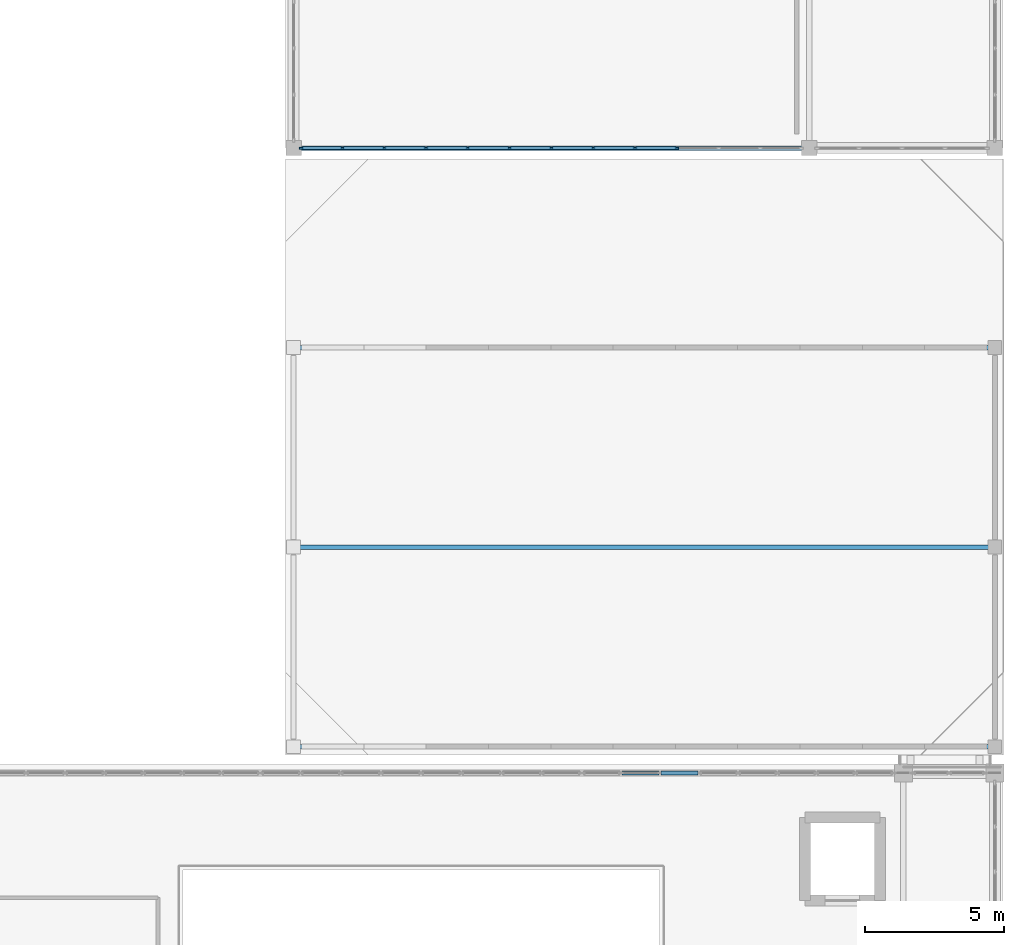
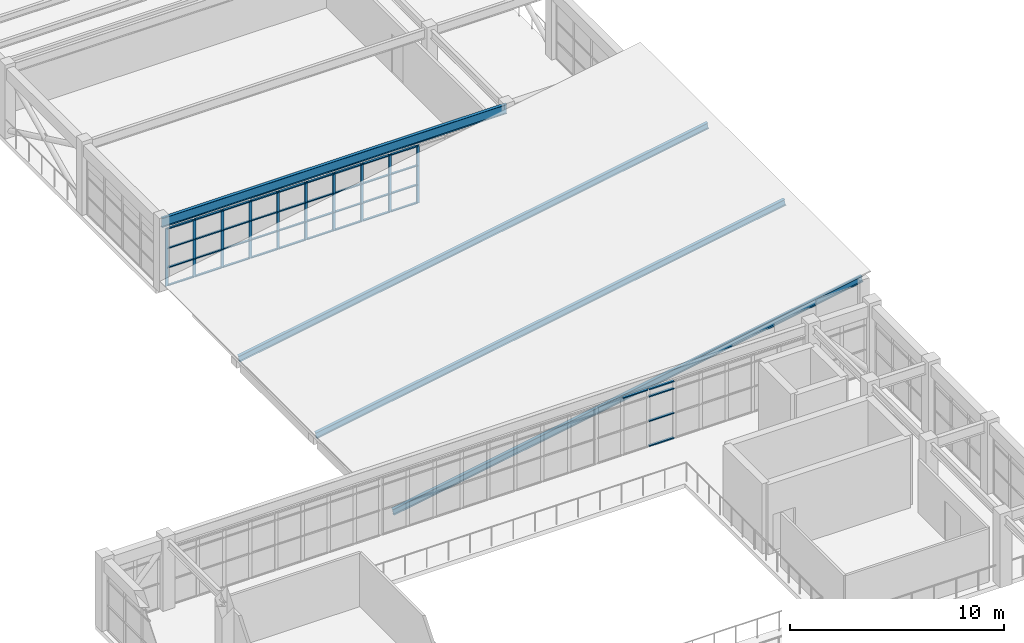
# One storey, part 26 of 66: 54 members, 1 beam, 2 elements without a shape of their own.
"""IFC4 building model written with IfcOpenShell, lengths in metres."""

from ifc_helpers import new_model, si_unit, direction, frame, origin, origin_2d, place, context, subcontext, project, spatial, rectangle, i_section, extrude, material, layer, layer_set, material_profile, profile_set, type_object, element, aggregate, save


model = new_model("IFC4")

# Units and contexts
model_context = context("Model", 3, precision=1e-05, world=origin(), true_north=direction((0.0, 1.0)))
body_context = subcontext(model_context, "Body", "Model", "MODEL_VIEW")
ifc_project = project(units=[si_unit("LENGTHUNIT", "METRE"), si_unit("AREAUNIT", "SQUARE_METRE"), si_unit("VOLUMEUNIT", "CUBIC_METRE"), si_unit("PLANEANGLEUNIT", "RADIAN"), si_unit("MASSUNIT", "GRAM", prefix="KILO")], contexts=[model_context])

# Site, building, storey
site_placement = place(None, origin())
site = spatial("IfcSite", under=ifc_project, at=site_placement, CompositionType="ELEMENT")
building_placement = place(site_placement, origin())
building = spatial("IfcBuilding", under=site, at=building_placement, Name="Candilejo Ridge Gondola Terminal", CompositionType="ELEMENT")
storey_placement = place(building_placement, frame((0.0, 0.0, 14.39990234375)))
storey = spatial("IfcBuildingStorey", under=building, at=storey_placement, Name="L03", CompositionType="ELEMENT", Elevation=14.39990234375)

# Curtain wall, members
ifc_material_1 = material(Name="Anodised aluminium AA 6063-T6", Category="aluminium")
ifc_layer_1 = layer(ifc_material_1, 0.169921875)
ifc_layer_set_1 = layer_set([ifc_layer_1], Name="ARC-CW-TOWER-3000-1810X329")
curtain_wall_type_1 = type_object("IfcCurtainWallType", Name="ARC-CW-TOWER-3000-1810X329", PredefinedType="NOTDEFINED", material=ifc_layer_set_1)
curtain_wall_1_placement = place(storey_placement, origin())
curtain_wall_1 = element("IfcCurtainWall", 1, at=curtain_wall_1_placement, inside=storey, type_object=curtain_wall_type_1, Name="Curtain wall V5 L03-208", PredefinedType="NOTDEFINED")
ifc_material_2 = material(Name="Anodised aluminium AA 6063-T6", Category="aluminium")
ifc_material_profile_1 = material_profile(ifc_material_2, rectangle(XDim=0.06494140625, YDim=0.14990234375, at=origin_2d()))
ifc_profile_set_1 = profile_set([ifc_material_profile_1], Name="Anodised aluminium AA 6063-T6")
member_type_1 = type_object("IfcMemberType", Name="ARC-CW-MULLION-150", PredefinedType="MULLION", material=ifc_profile_set_1)
member_1_placement = place(storey_placement, frame((150.282470703125, 70.25, 0.0), z_axis=(0.0, 0.0, 1.0), x_axis=(0.0, 1.0, 0.0)))
member_1 = element("IfcMember", 2, at=member_1_placement, type_object=member_type_1, Name="CW-181X32 mullion 1", PredefinedType="MULLION", context=body_context, shape_type="SweptSolid", body=[
    extrude(rectangle(XDim=0.06494140625, YDim=0.14990234375, at=origin_2d()), origin(), (0.0, 0.0, 1.0), 3.2900390625),
])
member_2_placement = place(storey_placement, frame((151.75830078125, 70.25, 0.0), z_axis=(0.0, 0.0, 1.0), x_axis=(0.0, 1.0, 0.0)))
member_2 = element("IfcMember", 3, at=member_2_placement, type_object=member_type_1, Name="CW-181X32 mullion 2", PredefinedType="MULLION", context=body_context, shape_type="SweptSolid", body=[
    extrude(rectangle(XDim=0.06494140625, YDim=0.14990234375, at=origin_2d()), origin(), (0.0, 0.0, 1.0), 3.2900390625),
])
member_3_placement = place(storey_placement, frame((153.2666015625, 70.25, 0.0), z_axis=(0.0, 0.0, 1.0), x_axis=(0.0, 1.0, 0.0)))
member_3 = element("IfcMember", 4, at=member_3_placement, type_object=member_type_1, Name="CW-181X32 mullion 3", PredefinedType="MULLION", context=body_context, shape_type="SweptSolid", body=[
    extrude(rectangle(XDim=0.06494140625, YDim=0.14990234375, at=origin_2d()), origin(), (0.0, 0.0, 1.0), 3.2900390625),
])
member_4_placement = place(storey_placement, frame((154.77490234375, 70.25, 0.0), z_axis=(0.0, 0.0, 1.0), x_axis=(0.0, 1.0, 0.0)))
member_4 = element("IfcMember", 5, at=member_4_placement, type_object=member_type_1, Name="CW-181X32 mullion 4", PredefinedType="MULLION", context=body_context, shape_type="SweptSolid", body=[
    extrude(rectangle(XDim=0.06494140625, YDim=0.14990234375, at=origin_2d()), origin(), (0.0, 0.0, 1.0), 3.2900390625),
])
member_5_placement = place(storey_placement, frame((156.283447265625, 70.25, 0.0), z_axis=(0.0, 0.0, 1.0), x_axis=(0.0, 1.0, 0.0)))
member_5 = element("IfcMember", 6, at=member_5_placement, type_object=member_type_1, Name="CW-181X32 mullion 5", PredefinedType="MULLION", context=body_context, shape_type="SweptSolid", body=[
    extrude(rectangle(XDim=0.06494140625, YDim=0.14990234375, at=origin_2d()), origin(), (0.0, 0.0, 1.0), 3.2900390625),
])
member_6_placement = place(storey_placement, frame((157.791748046875, 70.25, 0.0), z_axis=(0.0, 0.0, 1.0), x_axis=(0.0, 1.0, 0.0)))
member_6 = element("IfcMember", 7, at=member_6_placement, type_object=member_type_1, Name="CW-181X32 mullion 6", PredefinedType="MULLION", context=body_context, shape_type="SweptSolid", body=[
    extrude(rectangle(XDim=0.06494140625, YDim=0.14990234375, at=origin_2d()), origin(), (0.0, 0.0, 1.0), 3.2900390625),
])
member_7_placement = place(storey_placement, frame((159.300048828125, 70.25, 0.0), z_axis=(0.0, 0.0, 1.0), x_axis=(0.0, 1.0, 0.0)))
member_7 = element("IfcMember", 8, at=member_7_placement, type_object=member_type_1, Name="CW-181X32 mullion 7", PredefinedType="MULLION", context=body_context, shape_type="SweptSolid", body=[
    extrude(rectangle(XDim=0.06494140625, YDim=0.14990234375, at=origin_2d()), origin(), (0.0, 0.0, 1.0), 3.2900390625),
])
member_8_placement = place(storey_placement, frame((160.808349609375, 70.25, 0.0), z_axis=(0.0, 0.0, 1.0), x_axis=(0.0, 1.0, 0.0)))
member_8 = element("IfcMember", 9, at=member_8_placement, type_object=member_type_1, Name="CW-181X32 mullion 8", PredefinedType="MULLION", context=body_context, shape_type="SweptSolid", body=[
    extrude(rectangle(XDim=0.06494140625, YDim=0.14990234375, at=origin_2d()), origin(), (0.0, 0.0, 1.0), 3.2900390625),
])
member_9_placement = place(storey_placement, frame((162.316650390625, 70.25, 0.0), z_axis=(0.0, 0.0, 1.0), x_axis=(0.0, 1.0, 0.0)))
member_9 = element("IfcMember", 10, at=member_9_placement, type_object=member_type_1, Name="CW-181X32 mullion 9", PredefinedType="MULLION", context=body_context, shape_type="SweptSolid", body=[
    extrude(rectangle(XDim=0.06494140625, YDim=0.14990234375, at=origin_2d()), origin(), (0.0, 0.0, 1.0), 3.2900390625),
])
member_10_placement = place(storey_placement, frame((163.824951171875, 70.25, 0.0), z_axis=(0.0, 0.0, 1.0), x_axis=(0.0, 1.0, 0.0)))
member_10 = element("IfcMember", 11, at=member_10_placement, type_object=member_type_1, Name="CW-181X32 mullion 10", PredefinedType="MULLION", context=body_context, shape_type="SweptSolid", body=[
    extrude(rectangle(XDim=0.06494140625, YDim=0.14990234375, at=origin_2d()), origin(), (0.0, 0.0, 1.0), 3.2900390625),
])
ifc_material_3 = material(Name="Anodised aluminium AA 6063-T6", Category="aluminium")
ifc_material_profile_2 = material_profile(ifc_material_3, rectangle(XDim=0.110107421875, YDim=0.06005859375, at=origin_2d()))
ifc_profile_set_2 = profile_set([ifc_material_profile_2], Name="Anodised aluminium AA 6063-T6")
member_type_2 = type_object("IfcMemberType", Name="ARC-CW-TRANSOM-110", PredefinedType="USERDEFINED", material=ifc_profile_set_2)
member_11_placement = place(storey_placement, frame((150.31494140625, 70.25, 0.030029296875), z_axis=(1.0, 0.0, 0.0), x_axis=(0.0, 1.0, 0.0)))
member_11 = element("IfcMember", 12, at=member_11_placement, type_object=member_type_2, Name="CW-181X32 transom 1.1", ObjectType="TRANSOM", PredefinedType="USERDEFINED", context=body_context, shape_type="SweptSolid", body=[
    extrude(rectangle(XDim=0.110107421875, YDim=0.06005859375, at=origin_2d()), origin(), (0.0, 0.0, 1.0), 1.410888671875),
])
member_12_placement = place(storey_placement, frame((150.31494140625, 70.25, 1.050048828125), z_axis=(1.0, 0.0, 0.0), x_axis=(0.0, 1.0, 0.0)))
member_12 = element("IfcMember", 13, at=member_12_placement, type_object=member_type_2, Name="CW-181X32 transom 1.2", ObjectType="TRANSOM", PredefinedType="USERDEFINED", context=body_context, shape_type="SweptSolid", body=[
    extrude(rectangle(XDim=0.110107421875, YDim=0.06005859375, at=origin_2d()), origin(), (0.0, 0.0, 1.0), 1.410888671875),
])
member_13_placement = place(storey_placement, frame((150.31494140625, 70.25, 2.150146484375), z_axis=(1.0, 0.0, 0.0), x_axis=(0.0, 1.0, 0.0)))
member_13 = element("IfcMember", 14, at=member_13_placement, type_object=member_type_2, Name="CW-181X32 transom 1.3", ObjectType="TRANSOM", PredefinedType="USERDEFINED", context=body_context, shape_type="SweptSolid", body=[
    extrude(rectangle(XDim=0.110107421875, YDim=0.06005859375, at=origin_2d()), origin(), (0.0, 0.0, 1.0), 1.410888671875),
])
member_14_placement = place(storey_placement, frame((150.31494140625, 70.25, 3.260009765625), z_axis=(1.0, 0.0, 0.0), x_axis=(0.0, 1.0, 0.0)))
member_14 = element("IfcMember", 15, at=member_14_placement, type_object=member_type_2, Name="CW-181X32 transom 1.4", ObjectType="TRANSOM", PredefinedType="USERDEFINED", context=body_context, shape_type="SweptSolid", body=[
    extrude(rectangle(XDim=0.110107421875, YDim=0.06005859375, at=origin_2d()), origin(), (0.0, 0.0, 1.0), 1.410888671875),
])
member_15_placement = place(storey_placement, frame((151.790771484375, 70.25, 0.030029296875), z_axis=(1.0, 0.0, 0.0), x_axis=(0.0, 1.0, 0.0)))
member_15 = element("IfcMember", 16, at=member_15_placement, type_object=member_type_2, Name="CW-181X32 transom 2.1", ObjectType="TRANSOM", PredefinedType="USERDEFINED", context=body_context, shape_type="SweptSolid", body=[
    extrude(rectangle(XDim=0.110107421875, YDim=0.06005859375, at=origin_2d()), origin(), (0.0, 0.0, 1.0), 1.443359375),
])
member_16_placement = place(storey_placement, frame((151.790771484375, 70.25, 1.050048828125), z_axis=(1.0, 0.0, 0.0), x_axis=(0.0, 1.0, 0.0)))
member_16 = element("IfcMember", 17, at=member_16_placement, type_object=member_type_2, Name="CW-181X32 transom 2.2", ObjectType="TRANSOM", PredefinedType="USERDEFINED", context=body_context, shape_type="SweptSolid", body=[
    extrude(rectangle(XDim=0.110107421875, YDim=0.06005859375, at=origin_2d()), origin(), (0.0, 0.0, 1.0), 1.443359375),
])
member_17_placement = place(storey_placement, frame((151.790771484375, 70.25, 2.150146484375), z_axis=(1.0, 0.0, 0.0), x_axis=(0.0, 1.0, 0.0)))
member_17 = element("IfcMember", 18, at=member_17_placement, type_object=member_type_2, Name="CW-181X32 transom 2.3", ObjectType="TRANSOM", PredefinedType="USERDEFINED", context=body_context, shape_type="SweptSolid", body=[
    extrude(rectangle(XDim=0.110107421875, YDim=0.06005859375, at=origin_2d()), origin(), (0.0, 0.0, 1.0), 1.443359375),
])
member_18_placement = place(storey_placement, frame((151.790771484375, 70.25, 3.260009765625), z_axis=(1.0, 0.0, 0.0), x_axis=(0.0, 1.0, 0.0)))
member_18 = element("IfcMember", 19, at=member_18_placement, type_object=member_type_2, Name="CW-181X32 transom 2.4", ObjectType="TRANSOM", PredefinedType="USERDEFINED", context=body_context, shape_type="SweptSolid", body=[
    extrude(rectangle(XDim=0.110107421875, YDim=0.06005859375, at=origin_2d()), origin(), (0.0, 0.0, 1.0), 1.443359375),
])
member_19_placement = place(storey_placement, frame((153.299072265625, 70.25, 0.030029296875), z_axis=(1.0, 0.0, 0.0), x_axis=(0.0, 1.0, 0.0)))
member_19 = element("IfcMember", 20, at=member_19_placement, type_object=member_type_2, Name="CW-181X32 transom 3.1", ObjectType="TRANSOM", PredefinedType="USERDEFINED", context=body_context, shape_type="SweptSolid", body=[
    extrude(rectangle(XDim=0.110107421875, YDim=0.06005859375, at=origin_2d()), origin(), (0.0, 0.0, 1.0), 1.443359375),
])
member_20_placement = place(storey_placement, frame((153.299072265625, 70.25, 1.050048828125), z_axis=(1.0, 0.0, 0.0), x_axis=(0.0, 1.0, 0.0)))
member_20 = element("IfcMember", 21, at=member_20_placement, type_object=member_type_2, Name="CW-181X32 transom 3.2", ObjectType="TRANSOM", PredefinedType="USERDEFINED", context=body_context, shape_type="SweptSolid", body=[
    extrude(rectangle(XDim=0.110107421875, YDim=0.06005859375, at=origin_2d()), origin(), (0.0, 0.0, 1.0), 1.443359375),
])
member_21_placement = place(storey_placement, frame((153.299072265625, 70.25, 2.150146484375), z_axis=(1.0, 0.0, 0.0), x_axis=(0.0, 1.0, 0.0)))
member_21 = element("IfcMember", 22, at=member_21_placement, type_object=member_type_2, Name="CW-181X32 transom 3.3", ObjectType="TRANSOM", PredefinedType="USERDEFINED", context=body_context, shape_type="SweptSolid", body=[
    extrude(rectangle(XDim=0.110107421875, YDim=0.06005859375, at=origin_2d()), origin(), (0.0, 0.0, 1.0), 1.443359375),
])
member_22_placement = place(storey_placement, frame((153.299072265625, 70.25, 3.260009765625), z_axis=(1.0, 0.0, 0.0), x_axis=(0.0, 1.0, 0.0)))
member_22 = element("IfcMember", 23, at=member_22_placement, type_object=member_type_2, Name="CW-181X32 transom 3.4", ObjectType="TRANSOM", PredefinedType="USERDEFINED", context=body_context, shape_type="SweptSolid", body=[
    extrude(rectangle(XDim=0.110107421875, YDim=0.06005859375, at=origin_2d()), origin(), (0.0, 0.0, 1.0), 1.443359375),
])
member_23_placement = place(storey_placement, frame((154.8076171875, 70.25, 0.030029296875), z_axis=(1.0, 0.0, 0.0), x_axis=(0.0, 1.0, 0.0)))
member_23 = element("IfcMember", 24, at=member_23_placement, type_object=member_type_2, Name="CW-181X32 transom 4.1", ObjectType="TRANSOM", PredefinedType="USERDEFINED", context=body_context, shape_type="SweptSolid", body=[
    extrude(rectangle(XDim=0.110107421875, YDim=0.06005859375, at=origin_2d()), origin(), (0.0, 0.0, 1.0), 1.443115234375),
])
member_24_placement = place(storey_placement, frame((154.8076171875, 70.25, 1.050048828125), z_axis=(1.0, 0.0, 0.0), x_axis=(0.0, 1.0, 0.0)))
member_24 = element("IfcMember", 25, at=member_24_placement, type_object=member_type_2, Name="CW-181X32 transom 4.2", ObjectType="TRANSOM", PredefinedType="USERDEFINED", context=body_context, shape_type="SweptSolid", body=[
    extrude(rectangle(XDim=0.110107421875, YDim=0.06005859375, at=origin_2d()), origin(), (0.0, 0.0, 1.0), 1.443115234375),
])
member_25_placement = place(storey_placement, frame((154.8076171875, 70.25, 2.150146484375), z_axis=(1.0, 0.0, 0.0), x_axis=(0.0, 1.0, 0.0)))
member_25 = element("IfcMember", 26, at=member_25_placement, type_object=member_type_2, Name="CW-181X32 transom 4.3", ObjectType="TRANSOM", PredefinedType="USERDEFINED", context=body_context, shape_type="SweptSolid", body=[
    extrude(rectangle(XDim=0.110107421875, YDim=0.06005859375, at=origin_2d()), origin(), (0.0, 0.0, 1.0), 1.443115234375),
])
member_26_placement = place(storey_placement, frame((154.8076171875, 70.25, 3.260009765625), z_axis=(1.0, 0.0, 0.0), x_axis=(0.0, 1.0, 0.0)))
member_26 = element("IfcMember", 27, at=member_26_placement, type_object=member_type_2, Name="CW-181X32 transom 4.4", ObjectType="TRANSOM", PredefinedType="USERDEFINED", context=body_context, shape_type="SweptSolid", body=[
    extrude(rectangle(XDim=0.110107421875, YDim=0.06005859375, at=origin_2d()), origin(), (0.0, 0.0, 1.0), 1.443115234375),
])
member_27_placement = place(storey_placement, frame((156.31591796875, 70.25, 0.030029296875), z_axis=(1.0, 0.0, 0.0), x_axis=(0.0, 1.0, 0.0)))
member_27 = element("IfcMember", 28, at=member_27_placement, type_object=member_type_2, Name="CW-181X32 transom 5.1", ObjectType="TRANSOM", PredefinedType="USERDEFINED", context=body_context, shape_type="SweptSolid", body=[
    extrude(rectangle(XDim=0.110107421875, YDim=0.06005859375, at=origin_2d()), origin(), (0.0, 0.0, 1.0), 1.443359375),
])
member_28_placement = place(storey_placement, frame((156.31591796875, 70.25, 1.050048828125), z_axis=(1.0, 0.0, 0.0), x_axis=(0.0, 1.0, 0.0)))
member_28 = element("IfcMember", 29, at=member_28_placement, type_object=member_type_2, Name="CW-181X32 transom 5.2", ObjectType="TRANSOM", PredefinedType="USERDEFINED", context=body_context, shape_type="SweptSolid", body=[
    extrude(rectangle(XDim=0.110107421875, YDim=0.06005859375, at=origin_2d()), origin(), (0.0, 0.0, 1.0), 1.443359375),
])
member_29_placement = place(storey_placement, frame((156.31591796875, 70.25, 2.150146484375), z_axis=(1.0, 0.0, 0.0), x_axis=(0.0, 1.0, 0.0)))
member_29 = element("IfcMember", 30, at=member_29_placement, type_object=member_type_2, Name="CW-181X32 transom 5.3", ObjectType="TRANSOM", PredefinedType="USERDEFINED", context=body_context, shape_type="SweptSolid", body=[
    extrude(rectangle(XDim=0.110107421875, YDim=0.06005859375, at=origin_2d()), origin(), (0.0, 0.0, 1.0), 1.443359375),
])
member_30_placement = place(storey_placement, frame((156.31591796875, 70.25, 3.260009765625), z_axis=(1.0, 0.0, 0.0), x_axis=(0.0, 1.0, 0.0)))
member_30 = element("IfcMember", 31, at=member_30_placement, type_object=member_type_2, Name="CW-181X32 transom 5.4", ObjectType="TRANSOM", PredefinedType="USERDEFINED", context=body_context, shape_type="SweptSolid", body=[
    extrude(rectangle(XDim=0.110107421875, YDim=0.06005859375, at=origin_2d()), origin(), (0.0, 0.0, 1.0), 1.443359375),
])
member_31_placement = place(storey_placement, frame((157.82421875, 70.25, 0.030029296875), z_axis=(1.0, 0.0, 0.0), x_axis=(0.0, 1.0, 0.0)))
member_31 = element("IfcMember", 32, at=member_31_placement, type_object=member_type_2, Name="CW-181X32 transom 6.1", ObjectType="TRANSOM", PredefinedType="USERDEFINED", context=body_context, shape_type="SweptSolid", body=[
    extrude(rectangle(XDim=0.110107421875, YDim=0.06005859375, at=origin_2d()), origin(), (0.0, 0.0, 1.0), 1.443359375),
])
member_32_placement = place(storey_placement, frame((157.82421875, 70.25, 1.050048828125), z_axis=(1.0, 0.0, 0.0), x_axis=(0.0, 1.0, 0.0)))
member_32 = element("IfcMember", 33, at=member_32_placement, type_object=member_type_2, Name="CW-181X32 transom 6.2", ObjectType="TRANSOM", PredefinedType="USERDEFINED", context=body_context, shape_type="SweptSolid", body=[
    extrude(rectangle(XDim=0.110107421875, YDim=0.06005859375, at=origin_2d()), origin(), (0.0, 0.0, 1.0), 1.443359375),
])
member_33_placement = place(storey_placement, frame((157.82421875, 70.25, 2.150146484375), z_axis=(1.0, 0.0, 0.0), x_axis=(0.0, 1.0, 0.0)))
member_33 = element("IfcMember", 34, at=member_33_placement, type_object=member_type_2, Name="CW-181X32 transom 6.3", ObjectType="TRANSOM", PredefinedType="USERDEFINED", context=body_context, shape_type="SweptSolid", body=[
    extrude(rectangle(XDim=0.110107421875, YDim=0.06005859375, at=origin_2d()), origin(), (0.0, 0.0, 1.0), 1.443359375),
])
member_34_placement = place(storey_placement, frame((157.82421875, 70.25, 3.260009765625), z_axis=(1.0, 0.0, 0.0), x_axis=(0.0, 1.0, 0.0)))
member_34 = element("IfcMember", 35, at=member_34_placement, type_object=member_type_2, Name="CW-181X32 transom 6.4", ObjectType="TRANSOM", PredefinedType="USERDEFINED", context=body_context, shape_type="SweptSolid", body=[
    extrude(rectangle(XDim=0.110107421875, YDim=0.06005859375, at=origin_2d()), origin(), (0.0, 0.0, 1.0), 1.443359375),
])
member_35_placement = place(storey_placement, frame((159.33251953125, 70.25, 0.030029296875), z_axis=(1.0, 0.0, 0.0), x_axis=(0.0, 1.0, 0.0)))
member_35 = element("IfcMember", 36, at=member_35_placement, type_object=member_type_2, Name="CW-181X32 transom 7.1", ObjectType="TRANSOM", PredefinedType="USERDEFINED", context=body_context, shape_type="SweptSolid", body=[
    extrude(rectangle(XDim=0.110107421875, YDim=0.06005859375, at=origin_2d()), origin(), (0.0, 0.0, 1.0), 1.443359375),
])
member_36_placement = place(storey_placement, frame((159.33251953125, 70.25, 1.050048828125), z_axis=(1.0, 0.0, 0.0), x_axis=(0.0, 1.0, 0.0)))
member_36 = element("IfcMember", 37, at=member_36_placement, type_object=member_type_2, Name="CW-181X32 transom 7.2", ObjectType="TRANSOM", PredefinedType="USERDEFINED", context=body_context, shape_type="SweptSolid", body=[
    extrude(rectangle(XDim=0.110107421875, YDim=0.06005859375, at=origin_2d()), origin(), (0.0, 0.0, 1.0), 1.443359375),
])
member_37_placement = place(storey_placement, frame((159.33251953125, 70.25, 2.150146484375), z_axis=(1.0, 0.0, 0.0), x_axis=(0.0, 1.0, 0.0)))
member_37 = element("IfcMember", 38, at=member_37_placement, type_object=member_type_2, Name="CW-181X32 transom 7.3", ObjectType="TRANSOM", PredefinedType="USERDEFINED", context=body_context, shape_type="SweptSolid", body=[
    extrude(rectangle(XDim=0.110107421875, YDim=0.06005859375, at=origin_2d()), origin(), (0.0, 0.0, 1.0), 1.443359375),
])
member_38_placement = place(storey_placement, frame((159.33251953125, 70.25, 3.260009765625), z_axis=(1.0, 0.0, 0.0), x_axis=(0.0, 1.0, 0.0)))
member_38 = element("IfcMember", 39, at=member_38_placement, type_object=member_type_2, Name="CW-181X32 transom 7.4", ObjectType="TRANSOM", PredefinedType="USERDEFINED", context=body_context, shape_type="SweptSolid", body=[
    extrude(rectangle(XDim=0.110107421875, YDim=0.06005859375, at=origin_2d()), origin(), (0.0, 0.0, 1.0), 1.443359375),
])
member_39_placement = place(storey_placement, frame((160.8408203125, 70.25, 0.030029296875), z_axis=(1.0, 0.0, 0.0), x_axis=(0.0, 1.0, 0.0)))
member_39 = element("IfcMember", 40, at=member_39_placement, type_object=member_type_2, Name="CW-181X32 transom 8.1", ObjectType="TRANSOM", PredefinedType="USERDEFINED", context=body_context, shape_type="SweptSolid", body=[
    extrude(rectangle(XDim=0.110107421875, YDim=0.06005859375, at=origin_2d()), origin(), (0.0, 0.0, 1.0), 1.443359375),
])
member_40_placement = place(storey_placement, frame((160.8408203125, 70.25, 1.050048828125), z_axis=(1.0, 0.0, 0.0), x_axis=(0.0, 1.0, 0.0)))
member_40 = element("IfcMember", 41, at=member_40_placement, type_object=member_type_2, Name="CW-181X32 transom 8.2", ObjectType="TRANSOM", PredefinedType="USERDEFINED", context=body_context, shape_type="SweptSolid", body=[
    extrude(rectangle(XDim=0.110107421875, YDim=0.06005859375, at=origin_2d()), origin(), (0.0, 0.0, 1.0), 1.443359375),
])
member_41_placement = place(storey_placement, frame((160.8408203125, 70.25, 2.150146484375), z_axis=(1.0, 0.0, 0.0), x_axis=(0.0, 1.0, 0.0)))
member_41 = element("IfcMember", 42, at=member_41_placement, type_object=member_type_2, Name="CW-181X32 transom 8.3", ObjectType="TRANSOM", PredefinedType="USERDEFINED", context=body_context, shape_type="SweptSolid", body=[
    extrude(rectangle(XDim=0.110107421875, YDim=0.06005859375, at=origin_2d()), origin(), (0.0, 0.0, 1.0), 1.443359375),
])
member_42_placement = place(storey_placement, frame((160.8408203125, 70.25, 3.260009765625), z_axis=(1.0, 0.0, 0.0), x_axis=(0.0, 1.0, 0.0)))
member_42 = element("IfcMember", 43, at=member_42_placement, type_object=member_type_2, Name="CW-181X32 transom 8.4", ObjectType="TRANSOM", PredefinedType="USERDEFINED", context=body_context, shape_type="SweptSolid", body=[
    extrude(rectangle(XDim=0.110107421875, YDim=0.06005859375, at=origin_2d()), origin(), (0.0, 0.0, 1.0), 1.443359375),
])
member_43_placement = place(storey_placement, frame((162.34912109375, 70.25, 0.030029296875), z_axis=(1.0, 0.0, 0.0), x_axis=(0.0, 1.0, 0.0)))
member_43 = element("IfcMember", 44, at=member_43_placement, type_object=member_type_2, Name="CW-181X32 transom 9.1", ObjectType="TRANSOM", PredefinedType="USERDEFINED", context=body_context, shape_type="SweptSolid", body=[
    extrude(rectangle(XDim=0.110107421875, YDim=0.06005859375, at=origin_2d()), origin(), (0.0, 0.0, 1.0), 1.443359375),
])
member_44_placement = place(storey_placement, frame((162.34912109375, 70.25, 1.050048828125), z_axis=(1.0, 0.0, 0.0), x_axis=(0.0, 1.0, 0.0)))
member_44 = element("IfcMember", 45, at=member_44_placement, type_object=member_type_2, Name="CW-181X32 transom 9.2", ObjectType="TRANSOM", PredefinedType="USERDEFINED", context=body_context, shape_type="SweptSolid", body=[
    extrude(rectangle(XDim=0.110107421875, YDim=0.06005859375, at=origin_2d()), origin(), (0.0, 0.0, 1.0), 1.443359375),
])
member_45_placement = place(storey_placement, frame((162.34912109375, 70.25, 2.150146484375), z_axis=(1.0, 0.0, 0.0), x_axis=(0.0, 1.0, 0.0)))
member_45 = element("IfcMember", 46, at=member_45_placement, type_object=member_type_2, Name="CW-181X32 transom 9.3", ObjectType="TRANSOM", PredefinedType="USERDEFINED", context=body_context, shape_type="SweptSolid", body=[
    extrude(rectangle(XDim=0.110107421875, YDim=0.06005859375, at=origin_2d()), origin(), (0.0, 0.0, 1.0), 1.443359375),
])
member_46_placement = place(storey_placement, frame((162.34912109375, 70.25, 3.260009765625), z_axis=(1.0, 0.0, 0.0), x_axis=(0.0, 1.0, 0.0)))
member_46 = element("IfcMember", 47, at=member_46_placement, type_object=member_type_2, Name="CW-181X32 transom 9.4", ObjectType="TRANSOM", PredefinedType="USERDEFINED", context=body_context, shape_type="SweptSolid", body=[
    extrude(rectangle(XDim=0.110107421875, YDim=0.06005859375, at=origin_2d()), origin(), (0.0, 0.0, 1.0), 1.443359375),
])
aggregate(curtain_wall_1, [member_1, member_2, member_3, member_4, member_5, member_6, member_7, member_8, member_9, member_10, member_11, member_12, member_13, member_14, member_15, member_16, member_17, member_18, member_19, member_20, member_21, member_22, member_23, member_24, member_25, member_26, member_27, member_28, member_29, member_30, member_31, member_32, member_33, member_34, member_35, member_36, member_37, member_38, member_39, member_40, member_41, member_42, member_43, member_44, member_45, member_46])

ifc_material_4 = material(Name="Anodised aluminium AA 6063-T6", Category="aluminium")
ifc_layer_2 = layer(ifc_material_4, 0.169921875)
ifc_layer_set_2 = layer_set([ifc_layer_2], Name="ARC-CW-HALL-3800-1128X329")
curtain_wall_type_2 = type_object("IfcCurtainWallType", Name="ARC-CW-HALL-3800-1128X329", PredefinedType="NOTDEFINED", material=ifc_layer_set_2)
curtain_wall_2_placement = place(storey_placement, origin())
curtain_wall_2 = element("IfcCurtainWall", 48, at=curtain_wall_2_placement, inside=storey, type_object=curtain_wall_type_2, Name="Curtain wall V4 L03-173", PredefinedType="NOTDEFINED")
ifc_material_5 = material(Name="Anodised aluminium AA 6063-T6", Category="aluminium")
ifc_material_profile_3 = material_profile(ifc_material_5, rectangle(XDim=0.1298828125, YDim=0.06005859375, at=origin_2d()))
ifc_profile_set_3 = profile_set([ifc_material_profile_3], Name="Anodised aluminium AA 6063-T6")
member_type_3 = type_object("IfcMemberType", Name="ARC-CW-TRANSOM-130", PredefinedType="USERDEFINED", material=ifc_profile_set_3)
member_47_placement = place(storey_placement, frame((161.841796875, 47.699951171875, 3.260009765625), z_axis=(1.0, 0.0, 0.0), x_axis=(0.0, 1.0, 0.0)))
member_47 = element("IfcMember", 49, at=member_47_placement, type_object=member_type_3, Name="CW-112X32 transom 2.4", ObjectType="TRANSOM", PredefinedType="USERDEFINED", context=body_context, shape_type="SweptSolid", body=[
    extrude(rectangle(XDim=0.1298828125, YDim=0.06005859375, at=origin_2d()), origin(), (0.0, 0.0, 1.0), 1.344482421875),
])
member_48_placement = place(storey_placement, frame((163.251220703125, 47.699951171875, 0.030029296875), z_axis=(1.0, 0.0, 0.0), x_axis=(0.0, 1.0, 0.0)))
member_48 = element("IfcMember", 50, at=member_48_placement, type_object=member_type_3, Name="CW-112X32 transom 3.1", ObjectType="TRANSOM", PredefinedType="USERDEFINED", context=body_context, shape_type="SweptSolid", body=[
    extrude(rectangle(XDim=0.1298828125, YDim=0.06005859375, at=origin_2d()), origin(), (0.0, 0.0, 1.0), 1.344482421875),
])
member_49_placement = place(storey_placement, frame((163.251220703125, 47.699951171875, 1.4501953125), z_axis=(1.0, 0.0, 0.0), x_axis=(0.0, 1.0, 0.0)))
member_49 = element("IfcMember", 51, at=member_49_placement, type_object=member_type_3, Name="CW-112X32 transom 3.2", ObjectType="TRANSOM", PredefinedType="USERDEFINED", context=body_context, shape_type="SweptSolid", body=[
    extrude(rectangle(XDim=0.1298828125, YDim=0.06005859375, at=origin_2d()), origin(), (0.0, 0.0, 1.0), 1.344482421875),
])
member_50_placement = place(storey_placement, frame((163.251220703125, 47.699951171875, 2.85009765625), z_axis=(1.0, 0.0, 0.0), x_axis=(0.0, 1.0, 0.0)))
member_50 = element("IfcMember", 52, at=member_50_placement, type_object=member_type_3, Name="CW-112X32 transom 3.3", ObjectType="TRANSOM", PredefinedType="USERDEFINED", context=body_context, shape_type="SweptSolid", body=[
    extrude(rectangle(XDim=0.1298828125, YDim=0.06005859375, at=origin_2d()), origin(), (0.0, 0.0, 1.0), 1.344482421875),
])
member_51_placement = place(storey_placement, frame((163.251220703125, 47.699951171875, 3.260009765625), z_axis=(1.0, 0.0, 0.0), x_axis=(0.0, 1.0, 0.0)))
member_51 = element("IfcMember", 53, at=member_51_placement, type_object=member_type_3, Name="CW-112X32 transom 3.4", ObjectType="TRANSOM", PredefinedType="USERDEFINED", context=body_context, shape_type="SweptSolid", body=[
    extrude(rectangle(XDim=0.1298828125, YDim=0.06005859375, at=origin_2d()), origin(), (0.0, 0.0, 1.0), 1.344482421875),
])
aggregate(curtain_wall_2, [member_47, member_48, member_49, member_50, member_51])

# Beam
ifc_material_6 = material(Name="Steel ASTM A992 Grade 50", Category="steel")
ifc_material_profile_4 = material_profile(ifc_material_6, i_section(OverallWidth=0.166015625, OverallDepth=0.529052734375, WebThickness=0.009765625, FlangeThickness=0.013671875, at=origin_2d()))
ifc_profile_set_4 = profile_set([ifc_material_profile_4], Name="Steel ASTM A992 Grade 50")
beam_type = type_object("IfcBeamType", Name="STR-BM-W530X74", PredefinedType="BEAM", material=ifc_profile_set_4)
beam_placement = place(storey_placement, frame((150.0, 70.25, 3.7255859375), z_axis=(1.0, 0.0, 0.0), x_axis=(0.0, 1.0, 0.0)))
element("IfcBeam", 54, at=beam_placement, inside=storey, type_object=beam_type, Name="Beam X V5 L03 X23-X25@Y13", PredefinedType="BEAM", context=body_context, shape_type="SweptSolid", body=[
    extrude(i_section(OverallWidth=0.166015625, OverallDepth=0.529052734375, WebThickness=0.009765625, FlangeThickness=0.013671875, at=origin_2d()), origin(), (0.0, 0.0, 1.0), 18.60009765625),
])

# Members
ifc_material_7 = material(Name="Steel ASTM A992 Grade 50", Category="steel")
ifc_material_profile_5 = material_profile(ifc_material_7, i_section(OverallWidth=0.1708984375, OverallDepth=0.35498046875, WebThickness=0.007080078125, FlangeThickness=0.01171875, at=origin_2d()))
ifc_profile_set_5 = profile_set([ifc_material_profile_5], Name="Steel ASTM A992 Grade 50")
member_type_4 = type_object("IfcMemberType", Name="STR-RAF-W360", PredefinedType="RAFTER", material=ifc_profile_set_5)
for number, where, z_axis, x_axis, name in (
    (55, (150.0, 48.64990234375, 0.32763671875), (0.984807084557, 0.0, 0.17365196862), (0.0, 1.0, 0.0), "Shed roof rafter RF-V5-GAR-01"),
    (56, (150.0, 55.85009765625, 0.32763671875), (0.984807084557, 0.0, 0.17365196862), (0.0, 1.0, 0.0), "Shed roof rafter RF-V5-GAR-02"),
    (57, (150.0, 63.050048828125, 0.32763671875), (0.984807084557, 0.0, 0.17365196862), (0.0, 1.0, 0.0), "Shed roof rafter RF-V5-GAR-03"),
):
    element("IfcMember", number, at=place(storey_placement, frame(where, z_axis=z_axis, x_axis=x_axis)), inside=storey, type_object=member_type_4, Name=name, PredefinedType="RAFTER", context=body_context, shape_type="SweptSolid", body=[
        extrude(i_section(OverallWidth=0.1708984375, OverallDepth=0.35498046875, WebThickness=0.007080078125, FlangeThickness=0.01171875, at=origin_2d()), origin(), (0.0, 0.0, 1.0), 25.6904296875),
    ])

save(model, "model.ifc")
